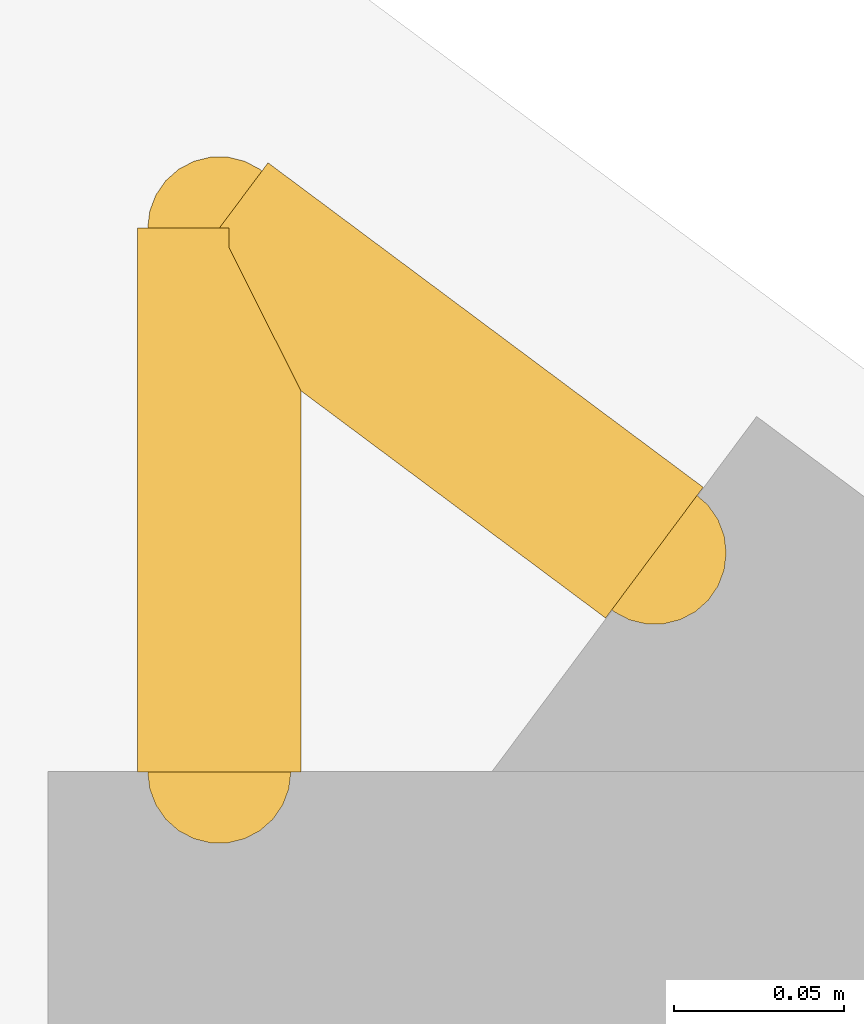
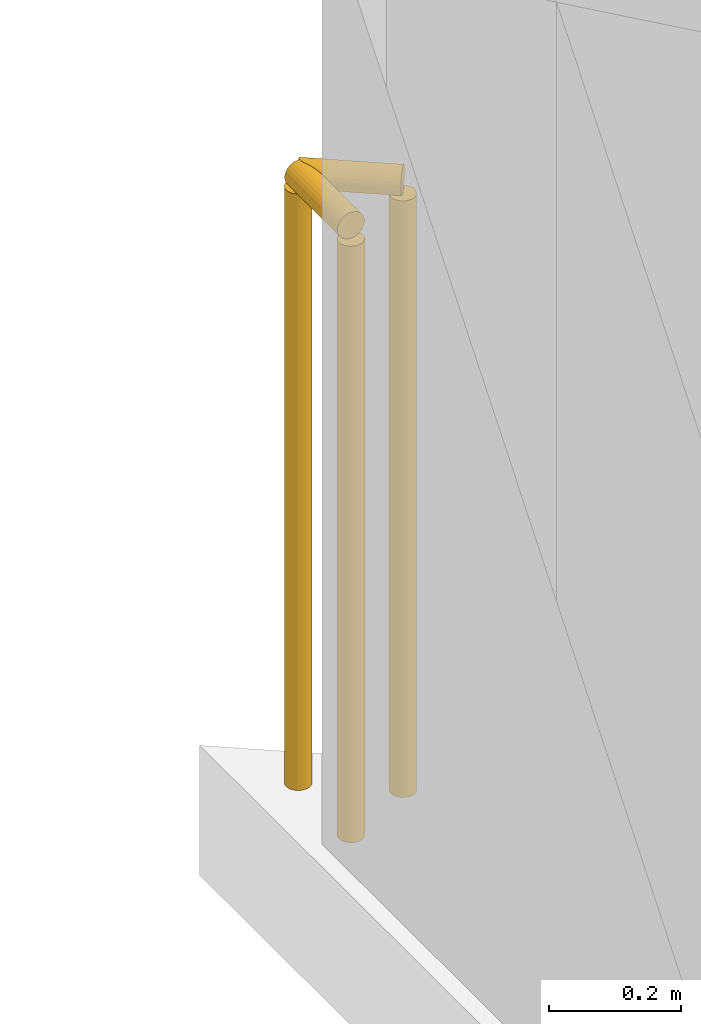
# One storey, part 15 of 15: 2 railings.
"""IFC4 building model written with IfcOpenShell, lengths in metres."""

from ifc_helpers import new_model, si_unit, direction, frame, origin, origin_2d, place, context, subcontext, project, spatial, circle, extrude, material, type_object, element, save


model = new_model("IFC4")

# Units and contexts
model_context = context("Model", 3, precision=1e-05, world=origin(), true_north=direction((0.0, 1.0)))
body_context = subcontext(model_context, "Body", "Model", "MODEL_VIEW")
ifc_project = project(units=[si_unit("LENGTHUNIT", "METRE"), si_unit("AREAUNIT", "SQUARE_METRE"), si_unit("VOLUMEUNIT", "CUBIC_METRE"), si_unit("PLANEANGLEUNIT", "RADIAN"), si_unit("MASSUNIT", "GRAM", prefix="KILO")], contexts=[model_context])

# Site, building, storey
site_placement = place(None, origin())
site = spatial("IfcSite", under=ifc_project, at=site_placement, CompositionType="ELEMENT")
building_placement = place(site_placement, origin())
building = spatial("IfcBuilding", under=site, at=building_placement, Name="Varnakote Quay Hospital", CompositionType="ELEMENT")
storey_placement = place(building_placement, frame((0.0, 0.0, 248.64990234375)))
storey = spatial("IfcBuildingStorey", under=building, at=storey_placement, Name="L61", CompositionType="ELEMENT", Elevation=248.64990234375)

# Railings
ifc_material = material(Name="Anodised aluminium 6063-T6 Bronze", Category="aluminium")
railing_type = type_object("IfcRailingType", Name="RLG-EXT-GUARD-1150", PredefinedType="GUARDRAIL", material=ifc_material)
railing_1_placement = place(storey_placement, frame((2.580078125, 41.881103515625, 0.0)))
element("IfcRailing", 1, at=railing_1_placement, inside=storey, type_object=railing_type, Name="L61 Slab Edge Perimeter Safety Guard", PredefinedType="GUARDRAIL", context=body_context, shape_type="SweptSolid", body=[
    extrude(circle(Radius=0.02392578125, at=origin_2d()), frame((0.0, 0.0, 1.1259765625), z_axis=(0.0, 1.0, 0.0), x_axis=(-1.0, 0.0, 0.0)), (0.0, 0.0, 1.0), 0.159423828125),
    extrude(circle(Radius=0.02099609375, at=origin_2d()), origin(), (0.0, 0.0, 1.0), 1.101806640625),
    extrude(circle(Radius=0.02099609375, at=origin_2d()), frame((0.0, 0.159423828125, 0.0)), (0.0, 0.0, 1.0), 1.101806640625),
])
railing_2_placement = place(storey_placement, frame((2.580078125, 42.04052734375, 0.0)))
element("IfcRailing", 2, at=railing_2_placement, inside=storey, type_object=railing_type, Name="L61 Slab Edge Perimeter Safety Guard", PredefinedType="GUARDRAIL", context=body_context, shape_type="SweptSolid", body=[
    extrude(circle(Radius=0.02392578125, at=origin_2d()), frame((0.0, 0.0, 1.1259765625), z_axis=(0.801652374907, -0.597790489892, 0.0), x_axis=(0.597790489892, 0.801652374907, 0.0)), (0.0, 0.0, 1.0), 0.1591796875),
    extrude(circle(Radius=0.02099609375, at=origin_2d()), origin(), (0.0, 0.0, 1.0), 1.101806640625),
    extrude(circle(Radius=0.02099609375, at=origin_2d()), frame((0.127685546875, -0.09521484375, 0.0)), (0.0, 0.0, 1.0), 1.101806640625),
])

save(model, "model.ifc")
